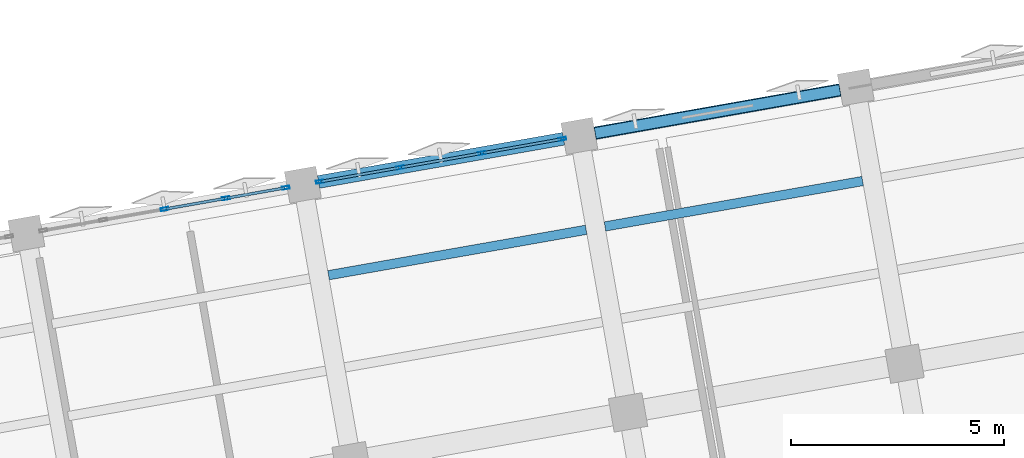
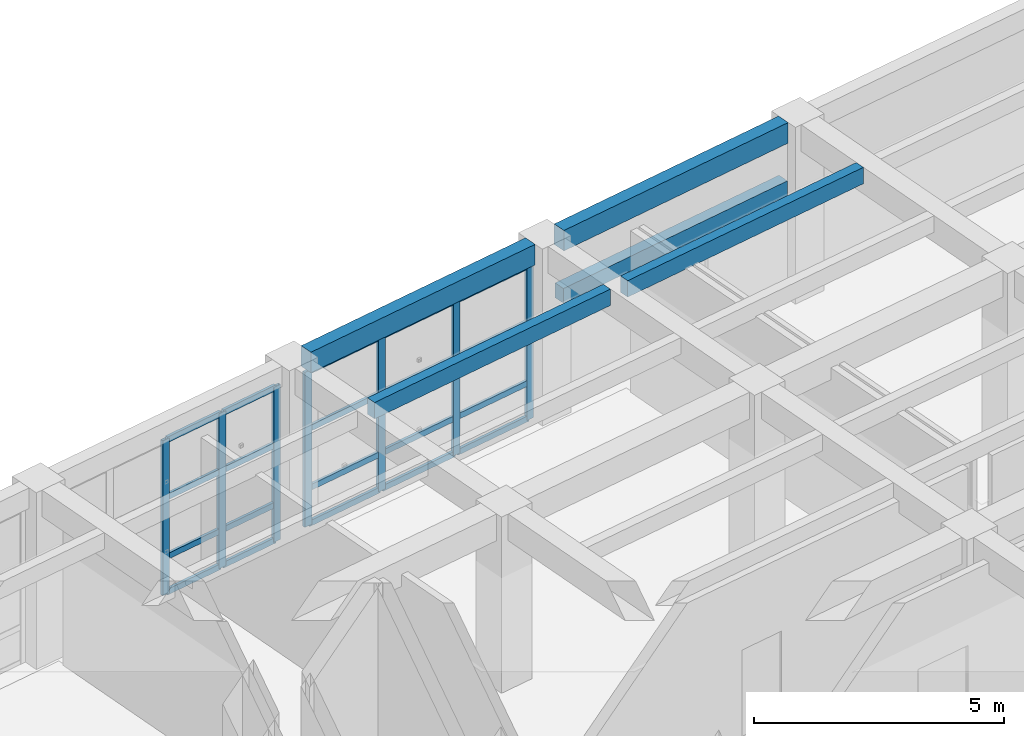
# One storey, part 23 of 80: 27 members, 5 beams, 2 elements without a shape of their own.
"""IFC4 building model written with IfcOpenShell, lengths in metres."""

from ifc_helpers import new_model, si_unit, direction, frame, origin, origin_2d, place, context, subcontext, project, spatial, rectangle, hollow_rectangle, extrude, material, layer, layer_set, material_profile, profile_set, type_object, element, aggregate, save


model = new_model("IFC4")

# Units and contexts
model_context = context("Model", 3, precision=1e-05, world=origin(), true_north=direction((0.0, 1.0)))
body_context = subcontext(model_context, "Body", "Model", "MODEL_VIEW")
ifc_project = project(units=[si_unit("LENGTHUNIT", "METRE"), si_unit("AREAUNIT", "SQUARE_METRE"), si_unit("VOLUMEUNIT", "CUBIC_METRE"), si_unit("PLANEANGLEUNIT", "RADIAN"), si_unit("MASSUNIT", "GRAM", prefix="KILO")], contexts=[model_context])

# Site, building, storey
site_placement = place(None, origin())
site = spatial("IfcSite", under=ifc_project, at=site_placement, CompositionType="ELEMENT")
building_placement = place(site_placement, origin())
building = spatial("IfcBuilding", under=site, at=building_placement, Name="Kharisveld Research Institute", CompositionType="ELEMENT")
storey_placement = place(building_placement, frame((0.0, 0.0, 5.10009765625)))
storey = spatial("IfcBuildingStorey", under=building, at=storey_placement, Name="L01", CompositionType="ELEMENT", Elevation=5.10009765625)

# Curtain wall, members
ifc_material_1 = material(Name="Thermally Broken Aluminium Curtain Wall", Category="aluminium")
ifc_layer_1 = layer(ifc_material_1, 0.159912109375)
ifc_layer_set_1 = layer_set([ifc_layer_1], Name="CW_SYS_04")
curtain_wall_type_1 = type_object("IfcCurtainWallType", Name="CW_SYS_04", PredefinedType="NOTDEFINED", material=ifc_layer_set_1)
curtain_wall_1_placement = place(storey_placement, origin())
curtain_wall_1 = element("IfcCurtainWall", 1, at=curtain_wall_1_placement, inside=storey, type_object=curtain_wall_type_1, Name="CW:V1:L01:N2", PredefinedType="NOTDEFINED")
ifc_material_2 = material(Name="Anodised Aluminium AW-6063-T6", Category="aluminium")
ifc_material_profile_1 = material_profile(ifc_material_2, hollow_rectangle(XDim=0.070068359375, YDim=0.179931640625, WallThickness=0.00439453125, at=origin_2d()))
ifc_profile_set_1 = profile_set([ifc_material_profile_1], Name="Anodised Aluminium AW-6063-T6")
member_type_1 = type_object("IfcMemberType", Name="CW_MUL_180", PredefinedType="MULLION", material=ifc_profile_set_1)
member_1_placement = place(storey_placement, frame((18.010986328125, 57.374267578125, 0.0), z_axis=(0.0, 0.0, 1.0), x_axis=(-0.173648107969, 0.984807765302, 0.0)))
member_1 = element("IfcMember", 2, at=member_1_placement, type_object=member_type_1, Name="CW-04 mullion 3", PredefinedType="MULLION", context=body_context, shape_type="SweptSolid", body=[
    extrude(hollow_rectangle(XDim=0.070068359375, YDim=0.179931640625, WallThickness=0.00439453125, at=origin_2d()), origin(), (0.0, 0.0, 1.0), 3.77978515625),
])
member_2_placement = place(storey_placement, frame((19.453857421875, 57.628662109375, 0.0), z_axis=(0.0, 0.0, 1.0), x_axis=(-0.173648107969, 0.984807765302, 0.0)))
member_2 = element("IfcMember", 3, at=member_2_placement, type_object=member_type_1, Name="CW-04 mullion 4", PredefinedType="MULLION", context=body_context, shape_type="SweptSolid", body=[
    extrude(hollow_rectangle(XDim=0.070068359375, YDim=0.179931640625, WallThickness=0.00439453125, at=origin_2d()), origin(), (0.0, 0.0, 1.0), 3.77978515625),
])
member_3_placement = place(storey_placement, frame((20.862060546875, 57.877197265625, 0.0), z_axis=(0.0, 0.0, 1.0), x_axis=(-0.173648107969, 0.984807765302, 0.0)))
member_3 = element("IfcMember", 4, at=member_3_placement, type_object=member_type_1, Name="CW-04 mullion 5", PredefinedType="MULLION", context=body_context, shape_type="SweptSolid", body=[
    extrude(hollow_rectangle(XDim=0.070068359375, YDim=0.179931640625, WallThickness=0.00439453125, at=origin_2d()), origin(), (0.0, 0.0, 1.0), 3.77978515625),
])

ifc_material_3 = material(Name="Thermally Broken Aluminium Curtain Wall", Category="aluminium")
ifc_layer_2 = layer(ifc_material_3, 0.159912109375)
ifc_layer_set_2 = layer_set([ifc_layer_2], Name="CW_SYS_05")
curtain_wall_type_2 = type_object("IfcCurtainWallType", Name="CW_SYS_05", PredefinedType="NOTDEFINED", material=ifc_layer_set_2)
curtain_wall_2_placement = place(storey_placement, origin())
curtain_wall_2 = element("IfcCurtainWall", 5, at=curtain_wall_2_placement, inside=storey, type_object=curtain_wall_type_2, Name="CW:V1:L01:N3", PredefinedType="NOTDEFINED")
member_4_placement = place(storey_placement, frame((21.659912109375, 58.017822265625, 0.0), z_axis=(0.0, 0.0, 1.0), x_axis=(-0.173648137137, 0.984807760159, 0.0)))
member_4 = element("IfcMember", 6, at=member_4_placement, type_object=member_type_1, Name="CW-05 mullion 1", PredefinedType="MULLION", context=body_context, shape_type="SweptSolid", body=[
    extrude(hollow_rectangle(XDim=0.070068359375, YDim=0.179931640625, WallThickness=0.00439453125, at=origin_2d()), origin(), (0.0, 0.0, 1.0), 3.77978515625),
])
member_5_placement = place(storey_placement, frame((23.549072265625, 58.350830078125, 0.0), z_axis=(0.0, 0.0, 1.0), x_axis=(-0.173648137137, 0.984807760159, 0.0)))
member_5 = element("IfcMember", 7, at=member_5_placement, type_object=member_type_1, Name="CW-05 mullion 2", PredefinedType="MULLION", context=body_context, shape_type="SweptSolid", body=[
    extrude(hollow_rectangle(XDim=0.070068359375, YDim=0.179931640625, WallThickness=0.00439453125, at=origin_2d()), origin(), (0.0, 0.0, 1.0), 3.77978515625),
])
member_6_placement = place(storey_placement, frame((25.47265625, 58.68994140625, 0.0), z_axis=(0.0, 0.0, 1.0), x_axis=(-0.173648137137, 0.984807760159, 0.0)))
member_6 = element("IfcMember", 8, at=member_6_placement, type_object=member_type_1, Name="CW-05 mullion 3", PredefinedType="MULLION", context=body_context, shape_type="SweptSolid", body=[
    extrude(hollow_rectangle(XDim=0.070068359375, YDim=0.179931640625, WallThickness=0.00439453125, at=origin_2d()), origin(), (0.0, 0.0, 1.0), 3.77978515625),
])
member_7_placement = place(storey_placement, frame((27.36181640625, 59.023193359375, 0.0), z_axis=(0.0, 0.0, 1.0), x_axis=(-0.173648137137, 0.984807760159, 0.0)))
member_7 = element("IfcMember", 9, at=member_7_placement, type_object=member_type_1, Name="CW-05 mullion 4", PredefinedType="MULLION", context=body_context, shape_type="SweptSolid", body=[
    extrude(hollow_rectangle(XDim=0.070068359375, YDim=0.179931640625, WallThickness=0.00439453125, at=origin_2d()), origin(), (0.0, 0.0, 1.0), 3.77978515625),
])

# Member
ifc_material_4 = material(Name="Anodised Aluminium AW-6063-T6", Category="aluminium")
ifc_material_profile_2 = material_profile(ifc_material_4, hollow_rectangle(XDim=0.06494140625, YDim=0.139892578125, WallThickness=0.00390625, at=origin_2d()))
ifc_profile_set_2 = profile_set([ifc_material_profile_2], Name="Anodised Aluminium AW-6063-T6")
member_type_2 = type_object("IfcMemberType", Name="CW_TRN_140", PredefinedType="USERDEFINED", material=ifc_profile_set_2)
member_8_placement = place(storey_placement, frame((18.045654296875, 57.38037109375, 0.032470703125), z_axis=(0.984783558818, 0.173785333909, 0.0), x_axis=(-0.173785333909, 0.984783558818, 0.0)))
member_8 = element("IfcMember", 10, at=member_8_placement, type_object=member_type_2, Name="CW-04 transom 3.1", ObjectType="TRANSOM", PredefinedType="USERDEFINED", context=body_context, shape_type="SweptSolid", body=[
    extrude(hollow_rectangle(XDim=0.06494140625, YDim=0.139892578125, WallThickness=0.00390625, at=origin_2d()), origin(), (0.0, 0.0, 1.0), 1.39501953125),
])

member_9_placement = place(storey_placement, frame((18.045654296875, 57.38037109375, 0.89990234375), z_axis=(0.984783558818, 0.173785333909, 0.0), x_axis=(-0.173785333909, 0.984783558818, 0.0)))
member_9 = element("IfcMember", 11, at=member_9_placement, type_object=member_type_2, Name="CW-04 transom 3.2", ObjectType="TRANSOM", PredefinedType="USERDEFINED", context=body_context, shape_type="SweptSolid", body=[
    extrude(hollow_rectangle(XDim=0.06494140625, YDim=0.139892578125, WallThickness=0.00390625, at=origin_2d()), origin(), (0.0, 0.0, 1.0), 1.39501953125),
])

member_10_placement = place(storey_placement, frame((18.045654296875, 57.38037109375, 2.349853515625), z_axis=(0.984783558818, 0.173785333909, 0.0), x_axis=(-0.173785333909, 0.984783558818, 0.0)))
member_10 = element("IfcMember", 12, at=member_10_placement, type_object=member_type_2, Name="CW-04 transom 3.3", ObjectType="TRANSOM", PredefinedType="USERDEFINED", context=body_context, shape_type="SweptSolid", body=[
    extrude(hollow_rectangle(XDim=0.06494140625, YDim=0.139892578125, WallThickness=0.00390625, at=origin_2d()), origin(), (0.0, 0.0, 1.0), 1.39501953125),
])

member_11_placement = place(storey_placement, frame((18.045654296875, 57.38037109375, 3.747314453125), z_axis=(0.984783558818, 0.173785333909, 0.0), x_axis=(-0.173785333909, 0.984783558818, 0.0)))
member_11 = element("IfcMember", 13, at=member_11_placement, type_object=member_type_2, Name="CW-04 transom 3.4", ObjectType="TRANSOM", PredefinedType="USERDEFINED", context=body_context, shape_type="SweptSolid", body=[
    extrude(hollow_rectangle(XDim=0.06494140625, YDim=0.139892578125, WallThickness=0.00390625, at=origin_2d()), origin(), (0.0, 0.0, 1.0), 1.39501953125),
])

member_12_placement = place(storey_placement, frame((19.48828125, 57.634765625, 0.032470703125), z_axis=(0.984787172883, 0.173764852962, 0.0), x_axis=(-0.173764852962, 0.984787172883, 0.0)))
member_12 = element("IfcMember", 14, at=member_12_placement, type_object=member_type_2, Name="CW-04 transom 4.1", ObjectType="TRANSOM", PredefinedType="USERDEFINED", context=body_context, shape_type="SweptSolid", body=[
    extrude(hollow_rectangle(XDim=0.06494140625, YDim=0.139892578125, WallThickness=0.00390625, at=origin_2d()), origin(), (0.0, 0.0, 1.0), 1.360107421875),
])

member_13_placement = place(storey_placement, frame((19.48828125, 57.634765625, 0.89990234375), z_axis=(0.984787172883, 0.173764852962, 0.0), x_axis=(-0.173764852962, 0.984787172883, 0.0)))
member_13 = element("IfcMember", 15, at=member_13_placement, type_object=member_type_2, Name="CW-04 transom 4.2", ObjectType="TRANSOM", PredefinedType="USERDEFINED", context=body_context, shape_type="SweptSolid", body=[
    extrude(hollow_rectangle(XDim=0.06494140625, YDim=0.139892578125, WallThickness=0.00390625, at=origin_2d()), origin(), (0.0, 0.0, 1.0), 1.360107421875),
])

member_14_placement = place(storey_placement, frame((19.48828125, 57.634765625, 2.349853515625), z_axis=(0.984787172883, 0.173764852962, 0.0), x_axis=(-0.173764852962, 0.984787172883, 0.0)))
member_14 = element("IfcMember", 16, at=member_14_placement, type_object=member_type_2, Name="CW-04 transom 4.3", ObjectType="TRANSOM", PredefinedType="USERDEFINED", context=body_context, shape_type="SweptSolid", body=[
    extrude(hollow_rectangle(XDim=0.06494140625, YDim=0.139892578125, WallThickness=0.00390625, at=origin_2d()), origin(), (0.0, 0.0, 1.0), 1.360107421875),
])

member_15_placement = place(storey_placement, frame((19.48828125, 57.634765625, 3.747314453125), z_axis=(0.984787172883, 0.173764852962, 0.0), x_axis=(-0.173764852962, 0.984787172883, 0.0)))
member_15 = element("IfcMember", 17, at=member_15_placement, type_object=member_type_2, Name="CW-04 transom 4.4", ObjectType="TRANSOM", PredefinedType="USERDEFINED", context=body_context, shape_type="SweptSolid", body=[
    extrude(hollow_rectangle(XDim=0.06494140625, YDim=0.139892578125, WallThickness=0.00390625, at=origin_2d()), origin(), (0.0, 0.0, 1.0), 1.360107421875),
])

aggregate(curtain_wall_1, [member_1, member_2, member_3, member_8, member_9, member_10, member_11, member_12, member_13, member_14, member_15])

member_16_placement = place(storey_placement, frame((21.6943359375, 58.02392578125, 0.032470703125), z_axis=(0.984823424222, 0.173559278357, 0.0), x_axis=(-0.173559278357, 0.984823424222, 0.0)))
member_16 = element("IfcMember", 18, at=member_16_placement, type_object=member_type_2, Name="CW-05 transom 1.1", ObjectType="TRANSOM", PredefinedType="USERDEFINED", context=body_context, shape_type="SweptSolid", body=[
    extrude(hollow_rectangle(XDim=0.06494140625, YDim=0.139892578125, WallThickness=0.00390625, at=origin_2d()), origin(), (0.0, 0.0, 1.0), 1.848388671875),
])

member_17_placement = place(storey_placement, frame((21.6943359375, 58.02392578125, 0.89990234375), z_axis=(0.984823424222, 0.173559278357, 0.0), x_axis=(-0.173559278357, 0.984823424222, 0.0)))
member_17 = element("IfcMember", 19, at=member_17_placement, type_object=member_type_2, Name="CW-05 transom 1.2", ObjectType="TRANSOM", PredefinedType="USERDEFINED", context=body_context, shape_type="SweptSolid", body=[
    extrude(hollow_rectangle(XDim=0.06494140625, YDim=0.139892578125, WallThickness=0.00390625, at=origin_2d()), origin(), (0.0, 0.0, 1.0), 1.848388671875),
])

member_18_placement = place(storey_placement, frame((21.6943359375, 58.02392578125, 2.349853515625), z_axis=(0.984823424222, 0.173559278357, 0.0), x_axis=(-0.173559278357, 0.984823424222, 0.0)))
member_18 = element("IfcMember", 20, at=member_18_placement, type_object=member_type_2, Name="CW-05 transom 1.3", ObjectType="TRANSOM", PredefinedType="USERDEFINED", context=body_context, shape_type="SweptSolid", body=[
    extrude(hollow_rectangle(XDim=0.06494140625, YDim=0.139892578125, WallThickness=0.00390625, at=origin_2d()), origin(), (0.0, 0.0, 1.0), 1.848388671875),
])

member_19_placement = place(storey_placement, frame((21.6943359375, 58.02392578125, 3.747314453125), z_axis=(0.984823424222, 0.173559278357, 0.0), x_axis=(-0.173559278357, 0.984823424222, 0.0)))
member_19 = element("IfcMember", 21, at=member_19_placement, type_object=member_type_2, Name="CW-05 transom 1.4", ObjectType="TRANSOM", PredefinedType="USERDEFINED", context=body_context, shape_type="SweptSolid", body=[
    extrude(hollow_rectangle(XDim=0.06494140625, YDim=0.139892578125, WallThickness=0.00390625, at=origin_2d()), origin(), (0.0, 0.0, 1.0), 1.848388671875),
])

member_20_placement = place(storey_placement, frame((23.58349609375, 58.35693359375, 0.032470703125), z_axis=(0.984797910441, 0.173703988415, 0.0), x_axis=(-0.173703988415, 0.984797910441, 0.0)))
member_20 = element("IfcMember", 22, at=member_20_placement, type_object=member_type_2, Name="CW-05 transom 2.1", ObjectType="TRANSOM", PredefinedType="USERDEFINED", context=body_context, shape_type="SweptSolid", body=[
    extrude(hollow_rectangle(XDim=0.06494140625, YDim=0.139892578125, WallThickness=0.00390625, at=origin_2d()), origin(), (0.0, 0.0, 1.0), 1.88330078125),
])

member_21_placement = place(storey_placement, frame((23.58349609375, 58.35693359375, 0.89990234375), z_axis=(0.984797910441, 0.173703988415, 0.0), x_axis=(-0.173703988415, 0.984797910441, 0.0)))
member_21 = element("IfcMember", 23, at=member_21_placement, type_object=member_type_2, Name="CW-05 transom 2.2", ObjectType="TRANSOM", PredefinedType="USERDEFINED", context=body_context, shape_type="SweptSolid", body=[
    extrude(hollow_rectangle(XDim=0.06494140625, YDim=0.139892578125, WallThickness=0.00390625, at=origin_2d()), origin(), (0.0, 0.0, 1.0), 1.88330078125),
])

member_22_placement = place(storey_placement, frame((23.58349609375, 58.35693359375, 2.349853515625), z_axis=(0.984797910441, 0.173703988415, 0.0), x_axis=(-0.173703988415, 0.984797910441, 0.0)))
member_22 = element("IfcMember", 24, at=member_22_placement, type_object=member_type_2, Name="CW-05 transom 2.3", ObjectType="TRANSOM", PredefinedType="USERDEFINED", context=body_context, shape_type="SweptSolid", body=[
    extrude(hollow_rectangle(XDim=0.06494140625, YDim=0.139892578125, WallThickness=0.00390625, at=origin_2d()), origin(), (0.0, 0.0, 1.0), 1.88330078125),
])

member_23_placement = place(storey_placement, frame((23.58349609375, 58.35693359375, 3.747314453125), z_axis=(0.984797910441, 0.173703988415, 0.0), x_axis=(-0.173703988415, 0.984797910441, 0.0)))
member_23 = element("IfcMember", 25, at=member_23_placement, type_object=member_type_2, Name="CW-05 transom 2.4", ObjectType="TRANSOM", PredefinedType="USERDEFINED", context=body_context, shape_type="SweptSolid", body=[
    extrude(hollow_rectangle(XDim=0.06494140625, YDim=0.139892578125, WallThickness=0.00390625, at=origin_2d()), origin(), (0.0, 0.0, 1.0), 1.88330078125),
])

member_24_placement = place(storey_placement, frame((25.507080078125, 58.696044921875, 0.032470703125), z_axis=(0.984800839801, 0.173687379874, 0.0), x_axis=(-0.173687379874, 0.984800839801, 0.0)))
member_24 = element("IfcMember", 26, at=member_24_placement, type_object=member_type_2, Name="CW-05 transom 3.1", ObjectType="TRANSOM", PredefinedType="USERDEFINED", context=body_context, shape_type="SweptSolid", body=[
    extrude(hollow_rectangle(XDim=0.06494140625, YDim=0.139892578125, WallThickness=0.00390625, at=origin_2d()), origin(), (0.0, 0.0, 1.0), 1.848388671875),
])

member_25_placement = place(storey_placement, frame((25.507080078125, 58.696044921875, 0.89990234375), z_axis=(0.984800839801, 0.173687379874, 0.0), x_axis=(-0.173687379874, 0.984800839801, 0.0)))
member_25 = element("IfcMember", 27, at=member_25_placement, type_object=member_type_2, Name="CW-05 transom 3.2", ObjectType="TRANSOM", PredefinedType="USERDEFINED", context=body_context, shape_type="SweptSolid", body=[
    extrude(hollow_rectangle(XDim=0.06494140625, YDim=0.139892578125, WallThickness=0.00390625, at=origin_2d()), origin(), (0.0, 0.0, 1.0), 1.848388671875),
])

member_26_placement = place(storey_placement, frame((25.507080078125, 58.696044921875, 2.349853515625), z_axis=(0.984800839801, 0.173687379874, 0.0), x_axis=(-0.173687379874, 0.984800839801, 0.0)))
member_26 = element("IfcMember", 28, at=member_26_placement, type_object=member_type_2, Name="CW-05 transom 3.3", ObjectType="TRANSOM", PredefinedType="USERDEFINED", context=body_context, shape_type="SweptSolid", body=[
    extrude(hollow_rectangle(XDim=0.06494140625, YDim=0.139892578125, WallThickness=0.00390625, at=origin_2d()), origin(), (0.0, 0.0, 1.0), 1.848388671875),
])

member_27_placement = place(storey_placement, frame((25.507080078125, 58.696044921875, 3.747314453125), z_axis=(0.984800839801, 0.173687379874, 0.0), x_axis=(-0.173687379874, 0.984800839801, 0.0)))
member_27 = element("IfcMember", 29, at=member_27_placement, type_object=member_type_2, Name="CW-05 transom 3.4", ObjectType="TRANSOM", PredefinedType="USERDEFINED", context=body_context, shape_type="SweptSolid", body=[
    extrude(hollow_rectangle(XDim=0.06494140625, YDim=0.139892578125, WallThickness=0.00390625, at=origin_2d()), origin(), (0.0, 0.0, 1.0), 1.848388671875),
])

aggregate(curtain_wall_2, [member_4, member_5, member_6, member_7, member_16, member_17, member_18, member_19, member_20, member_21, member_22, member_23, member_24, member_25, member_26, member_27])

# Beams
ifc_material_5 = material(Name="Concrete C35/45", Category="concrete")
ifc_material_profile_3 = material_profile(ifc_material_5, rectangle(XDim=0.260009765625, YDim=0.360107421875, at=origin_2d()))
ifc_profile_set_3 = profile_set([ifc_material_profile_3], Name="Concrete C35/45")
beam_type_1 = type_object("IfcBeamType", Name="LN_RC_260x360", PredefinedType="LINTEL", material=ifc_profile_set_3)
beam_1_placement = place(storey_placement, frame((28.135009765625, 59.159423828125, 2.699951171875), z_axis=(0.984805856183, 0.173658934779, 0.0), x_axis=(-0.173658934779, 0.984805856183, 0.0)))
element("IfcBeam", 30, at=beam_1_placement, inside=storey, type_object=beam_type_1, Name="BM:V1:L01:LINTEL_N4", PredefinedType="LINTEL", context=body_context, shape_type="SweptSolid", body=[
    extrude(rectangle(XDim=0.260009765625, YDim=0.360107421875, at=origin_2d()), origin(), (0.0, 0.0, 1.0), 5.83984375),
])
ifc_material_6 = material(Name="Concrete C40/50", Category="concrete")
ifc_material_profile_4 = material_profile(ifc_material_6, rectangle(XDim=0.300048828125, YDim=0.5, at=origin_2d()))
ifc_profile_set_4 = profile_set([ifc_material_profile_4], Name="Concrete C40/50")
beam_type_2 = type_object("IfcBeamType", Name="SP_RC_300x500", PredefinedType="SPANDREL", material=ifc_profile_set_4)
beam_2_placement = place(storey_placement, frame((21.63037109375, 58.012451171875, 4.059814453125), z_axis=(0.984806238245, 0.17365676812, 0.0), x_axis=(-0.17365676812, 0.984806238245, 0.0)))
element("IfcBeam", 31, at=beam_2_placement, inside=storey, type_object=beam_type_2, Name="BM:V1:L01:U3_3", PredefinedType="SPANDREL", context=body_context, shape_type="SweptSolid", body=[
    extrude(rectangle(XDim=0.300048828125, YDim=0.5, at=origin_2d()), origin(), (0.0, 0.0, 1.0), 5.849853515625),
])
beam_3_placement = place(storey_placement, frame((28.1298828125, 59.15869140625, 4.059814453125), z_axis=(0.984807496737, 0.173649631067, 0.0), x_axis=(-0.173649631067, 0.984807496737, 0.0)))
element("IfcBeam", 32, at=beam_3_placement, inside=storey, type_object=beam_type_2, Name="BM:V1:L01:U4_3", PredefinedType="SPANDREL", context=body_context, shape_type="SweptSolid", body=[
    extrude(rectangle(XDim=0.300048828125, YDim=0.5, at=origin_2d()), origin(), (0.0, 0.0, 1.0), 5.85009765625),
])
ifc_material_7 = material(Name="Concrete C40/50", Category="concrete")
ifc_material_profile_5 = material_profile(ifc_material_7, rectangle(XDim=0.219970703125, YDim=0.39990234375, at=origin_2d()))
ifc_profile_set_5 = profile_set([ifc_material_profile_5], Name="Concrete C40/50")
beam_type_3 = type_object("IfcBeamType", Name="WB_RC_220x400", PredefinedType="JOIST", material=ifc_profile_set_5)
for number, where, z_axis, x_axis, name in (
    (33, (21.864501953125, 55.81982421875, 4.10986328125), (0.984803134643, 0.173674367706, 0.0), (-0.173674367706, 0.984803134643, 0.0), "BM:V1:L01:J_3_2_R2"),
    (34, (28.3642578125, 56.966064453125, 4.10986328125), (0.984809923515, 0.173635867682, 0.0), (-0.173635867682, 0.984809923515, 0.0), "BM:V1:L01:J_4_2_R2"),
):
    element("IfcBeam", number, at=place(storey_placement, frame(where, z_axis=z_axis, x_axis=x_axis)), inside=storey, type_object=beam_type_3, Name=name, PredefinedType="JOIST", context=body_context, shape_type="SweptSolid", body=[
        extrude(rectangle(XDim=0.219970703125, YDim=0.39990234375, at=origin_2d()), origin(), (0.0, 0.0, 1.0), 6.150146484375),
    ])

save(model, "model.ifc")
